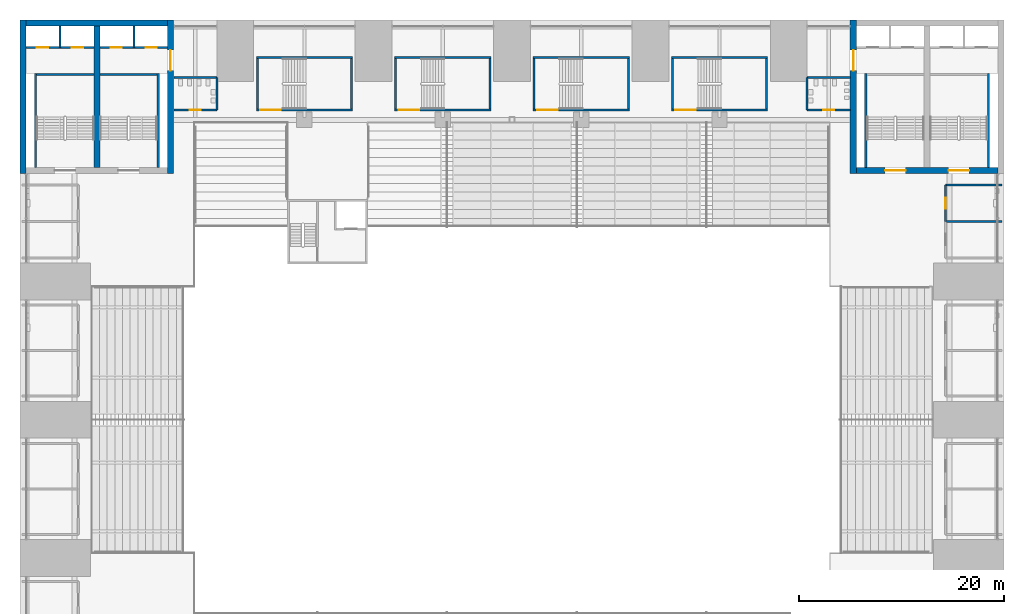
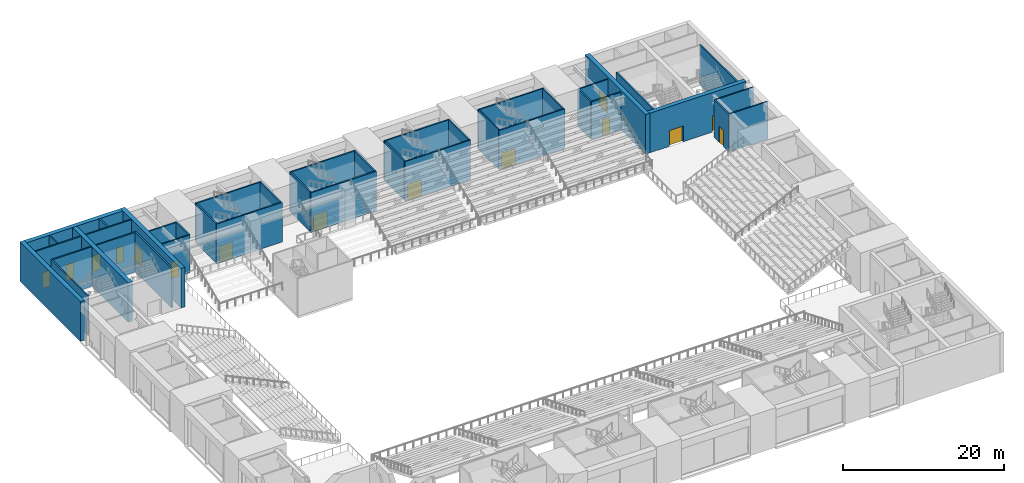
# One storey, part 32 of 61: 41 walls, 15 doors, 15 openings.
"""IFC4 building model written with IfcOpenShell, lengths in metres."""

from ifc_helpers import new_model, si_unit, direction, frame, frame_2d, origin, place, context, subcontext, project, spatial, rectangle, extrude, material, layer, layer_set, type_object, element, fill, save


model = new_model("IFC4")

# Units and contexts
model_context = context("Model", 3, precision=1e-05, world=origin(), true_north=direction((0.0, 1.0)))
body_context = subcontext(model_context, "Body", "Model", "MODEL_VIEW")
ifc_project = project(units=[si_unit("LENGTHUNIT", "METRE"), si_unit("AREAUNIT", "SQUARE_METRE"), si_unit("VOLUMEUNIT", "CUBIC_METRE"), si_unit("PLANEANGLEUNIT", "RADIAN"), si_unit("MASSUNIT", "GRAM", prefix="KILO")], contexts=[model_context])

# Site, building, storey
site_placement = place(None, origin())
site = spatial("IfcSite", under=ifc_project, at=site_placement, CompositionType="ELEMENT")
building_placement = place(site_placement, origin())
building = spatial("IfcBuilding", under=site, at=building_placement, Name="Corbelhall Arena Tower", CompositionType="ELEMENT")
storey_placement = place(building_placement, frame((0.0, 0.0, 31.0)))
storey = spatial("IfcBuildingStorey", under=building, at=storey_placement, Name="L04", CompositionType="ELEMENT", Elevation=31.0)

# Wall
ifc_material_1 = material(Name="Gypsum board on steel studs", Category="steel")
ifc_layer_1 = layer(ifc_material_1, 0.199951171875)
ifc_layer_set_1 = layer_set([ifc_layer_1], Name="AR-ROOM-WALL")
wall_type_1 = type_object("IfcWallType", Name="AR-ROOM-WALL", PredefinedType="PARTITIONING", material=ifc_layer_set_1)
wall_1_placement = place(storey_placement, frame((42.300048828125, 19.35009765625, 0.0), z_axis=(0.0, 0.0, 1.0), x_axis=(1.0, 0.0, 0.0)))
element("IfcWall", 1, at=wall_1_placement, inside=storey, type_object=wall_type_1, Name="Club lounge 3 partition", PredefinedType="PARTITIONING", context=body_context, shape_type="SweptSolid", body=[
    extrude(rectangle(XDim=5.5, YDim=0.199951171875, at=frame_2d((2.75, 0.0))), origin(), (0.0, 0.0, 1.0), 5.699951171875),
])

# Wall, opening, door
wall_2_placement = place(storey_placement, frame((42.300048828125, 19.35009765625, 0.0), z_axis=(0.0, 0.0, 1.0), x_axis=(0.0, 1.0, 0.0)))
wall_2 = element("IfcWall", 2, at=wall_2_placement, inside=storey, type_object=wall_type_1, Name="Accessible WC 2 wall", PredefinedType="PARTITIONING", context=body_context, shape_type="SweptSolid", body=[
    extrude(rectangle(XDim=3.5498046875, YDim=0.199951171875, at=frame_2d((1.77490234375, 0.0))), origin(), (0.0, 0.0, 1.0), 5.699951171875),
])
opening_1_placement = place(wall_2_placement, frame((1.22509765625, 0.0, 0.0)))
opening_1 = element("IfcOpeningElement", 3, at=opening_1_placement, cuts=wall_2, Name="Opening DA0424", PredefinedType="OPENING", context=body_context, shape_type="SweptSolid", body=[
    extrude(rectangle(XDim=1.10009765625, YDim=2.39990234375, at=frame_2d((0.550048828125, 1.199951171875))), frame((0.0, 0.10009765625, 0.0), z_axis=(0.0, -1.0, 0.0), x_axis=(1.0, 0.0, 0.0)), (0.0, 0.0, 1.0), 0.199951171875),
])
ifc_material_2 = material(Name="Timber", Category="wood")
door_type_1 = type_object("IfcDoorType", Name="AR-ROOM-DOOR", OperationType="DOUBLE_DOOR_SINGLE_SWING", PredefinedType="DOOR", material=ifc_material_2)
door_1_placement = place(opening_1_placement, origin())
door_1 = element("IfcDoor", 4, at=door_1_placement, inside=storey, type_object=door_type_1, Name="Accessible WC 2 door", OperationType="DOUBLE_DOOR_SINGLE_SWING", OverallHeight=2.39990234375, OverallWidth=1.10009765625, PredefinedType="DOOR", context=body_context, shape_type="SweptSolid", body=[
    extrude(rectangle(XDim=1.10009765625, YDim=2.39990234375, at=frame_2d((0.550048828125, 1.199951171875))), frame((0.0, 0.02490234375, 0.0), z_axis=(0.0, -1.0, 0.0), x_axis=(1.0, 0.0, 0.0)), (0.0, 0.0, 1.0), 0.050048828125),
])
fill(opening_1, door_1)

# Wall
wall_3_placement = place(storey_placement, frame((42.300048828125, 22.89990234375, 0.0), z_axis=(0.0, 0.0, 1.0), x_axis=(1.0, 0.0, 0.0)))
element("IfcWall", 5, at=wall_3_placement, inside=storey, type_object=wall_type_1, Name="Accessible WC 2 end wall", PredefinedType="PARTITIONING", context=body_context, shape_type="SweptSolid", body=[
    extrude(rectangle(XDim=5.5, YDim=0.199951171875, at=frame_2d((2.75, 0.0))), origin(), (0.0, 0.0, 1.0), 5.699951171875),
])

# Wall, opening, door
wall_4_placement = place(storey_placement, frame((28.800048828125, 30.199951171875, 0.0), z_axis=(0.0, 0.0, 1.0), x_axis=(1.0, 0.0, 0.0)))
wall_4 = element("IfcWall", 6, at=wall_4_placement, inside=storey, type_object=wall_type_1, Name="Men's WC 1 wall", PredefinedType="PARTITIONING", context=body_context, shape_type="SweptSolid", body=[
    extrude(rectangle(XDim=4.199951171875, YDim=0.199951171875, at=frame_2d((2.10009765625, 0.0))), origin(), (0.0, 0.0, 1.0), 5.699951171875),
])
opening_2_placement = place(wall_4_placement, frame((1.550048828125, 0.0, 0.0)))
opening_2 = element("IfcOpeningElement", 7, at=opening_2_placement, cuts=wall_4, Name="Opening DA0435", PredefinedType="OPENING", context=body_context, shape_type="SweptSolid", body=[
    extrude(rectangle(XDim=1.10009765625, YDim=2.39990234375, at=frame_2d((0.550048828125, 1.199951171875))), frame((0.0, 0.10009765625, 0.0), z_axis=(0.0, -1.0, 0.0), x_axis=(1.0, 0.0, 0.0)), (0.0, 0.0, 1.0), 0.199951171875),
])
door_2_placement = place(opening_2_placement, origin())
door_2 = element("IfcDoor", 8, at=door_2_placement, inside=storey, type_object=door_type_1, Name="Men's WC 1 door", OperationType="DOUBLE_DOOR_SINGLE_SWING", OverallHeight=2.39990234375, OverallWidth=1.10009765625, PredefinedType="DOOR", context=body_context, shape_type="SweptSolid", body=[
    extrude(rectangle(XDim=1.10009765625, YDim=2.39990234375, at=frame_2d((0.550048828125, 1.199951171875))), frame((0.0, 0.02490234375, 0.0), z_axis=(0.0, -1.0, 0.0), x_axis=(1.0, 0.0, 0.0)), (0.0, 0.0, 1.0), 0.050048828125),
])
fill(opening_2, door_2)

# Walls
wall_5_placement = place(storey_placement, frame((28.800048828125, 30.199951171875, 0.0), z_axis=(0.0, 0.0, 1.0), x_axis=(0.0, 1.0, 0.0)))
element("IfcWall", 9, at=wall_5_placement, inside=storey, type_object=wall_type_1, Name="Men's WC 1 side wall", PredefinedType="PARTITIONING", context=body_context, shape_type="SweptSolid", body=[
    extrude(rectangle(XDim=3.199951171875, YDim=0.199951171875, at=frame_2d((1.60009765625, 0.0))), origin(), (0.0, 0.0, 1.0), 5.699951171875),
])
wall_6_placement = place(storey_placement, frame((28.800048828125, 33.39990234375, 0.0), z_axis=(0.0, 0.0, 1.0), x_axis=(1.0, 0.0, 0.0)))
element("IfcWall", 10, at=wall_6_placement, inside=storey, type_object=wall_type_1, Name="Men's WC 1 far wall", PredefinedType="PARTITIONING", context=body_context, shape_type="SweptSolid", body=[
    extrude(rectangle(XDim=4.199951171875, YDim=0.199951171875, at=frame_2d((2.10009765625, 0.0))), origin(), (0.0, 0.0, 1.0), 5.699951171875),
])

# Wall, opening, door
wall_7_placement = place(storey_placement, frame((-33.0, 30.199951171875, 0.0), z_axis=(0.0, 0.0, 1.0), x_axis=(1.0, 0.0, 0.0)))
wall_7 = element("IfcWall", 11, at=wall_7_placement, inside=storey, type_object=wall_type_1, Name="Women's WC 2 wall", PredefinedType="PARTITIONING", context=body_context, shape_type="SweptSolid", body=[
    extrude(rectangle(XDim=4.199951171875, YDim=0.199951171875, at=frame_2d((2.10009765625, 0.0))), origin(), (0.0, 0.0, 1.0), 5.699951171875),
])
opening_3_placement = place(wall_7_placement, frame((1.550048828125, 0.0, 0.0)))
opening_3 = element("IfcOpeningElement", 12, at=opening_3_placement, cuts=wall_7, Name="Opening DA0436", PredefinedType="OPENING", context=body_context, shape_type="SweptSolid", body=[
    extrude(rectangle(XDim=1.10009765625, YDim=2.39990234375, at=frame_2d((0.550048828125, 1.199951171875))), frame((0.0, 0.10009765625, 0.0), z_axis=(0.0, -1.0, 0.0), x_axis=(1.0, 0.0, 0.0)), (0.0, 0.0, 1.0), 0.199951171875),
])
door_3_placement = place(opening_3_placement, origin())
door_3 = element("IfcDoor", 13, at=door_3_placement, inside=storey, type_object=door_type_1, Name="Women's WC 2 door", OperationType="DOUBLE_DOOR_SINGLE_SWING", OverallHeight=2.39990234375, OverallWidth=1.10009765625, PredefinedType="DOOR", context=body_context, shape_type="SweptSolid", body=[
    extrude(rectangle(XDim=1.10009765625, YDim=2.39990234375, at=frame_2d((0.550048828125, 1.199951171875))), frame((0.0, 0.02490234375, 0.0), z_axis=(0.0, -1.0, 0.0), x_axis=(1.0, 0.0, 0.0)), (0.0, 0.0, 1.0), 0.050048828125),
])
fill(opening_3, door_3)

# Walls
wall_8_placement = place(storey_placement, frame((-28.800048828125, 30.199951171875, 0.0), z_axis=(0.0, 0.0, 1.0), x_axis=(0.0, 1.0, 0.0)))
element("IfcWall", 14, at=wall_8_placement, inside=storey, type_object=wall_type_1, Name="Women's WC 2 side wall", PredefinedType="PARTITIONING", context=body_context, shape_type="SweptSolid", body=[
    extrude(rectangle(XDim=3.199951171875, YDim=0.199951171875, at=frame_2d((1.60009765625, 0.0))), origin(), (0.0, 0.0, 1.0), 5.699951171875),
])
wall_9_placement = place(storey_placement, frame((-33.0, 33.39990234375, 0.0), z_axis=(0.0, 0.0, 1.0), x_axis=(1.0, 0.0, 0.0)))
element("IfcWall", 15, at=wall_9_placement, inside=storey, type_object=wall_type_1, Name="Women's WC 2 far wall", PredefinedType="PARTITIONING", context=body_context, shape_type="SweptSolid", body=[
    extrude(rectangle(XDim=4.199951171875, YDim=0.199951171875, at=frame_2d((2.10009765625, 0.0))), origin(), (0.0, 0.0, 1.0), 5.699951171875),
])

# Wall, openings, doors
ifc_material_3 = material(Name="Reinforced concrete C40/50", Category="concrete")
ifc_layer_2 = layer(ifc_material_3, 0.199951171875)
ifc_layer_set_2 = layer_set([ifc_layer_2], Name="AR-SHAFT-WALL")
wall_type_2 = type_object("IfcWallType", Name="AR-SHAFT-WALL", PredefinedType="SHEAR", material=ifc_layer_set_2)
wall_10_placement = place(storey_placement, frame((-47.39990234375, 36.300048828125, 0.0), z_axis=(0.0, 0.0, 1.0), x_axis=(1.0, 0.0, 0.0)))
wall_10 = element("IfcWall", 16, at=wall_10_placement, inside=storey, type_object=wall_type_2, Name="Lift lobby wall NW", PredefinedType="SHEAR", context=body_context, shape_type="SweptSolid", body=[
    extrude(rectangle(XDim=6.599853515625, YDim=0.199951171875, at=frame_2d((3.2998046875, 0.0))), origin(), (0.0, 0.0, 1.0), 6.0),
])
opening_4_placement = place(wall_10_placement, frame((1.050048828125, 0.0, 0.0)))
opening_4 = element("IfcOpeningElement", 17, at=opening_4_placement, cuts=wall_10, Name="Opening LD0181", PredefinedType="OPENING", context=body_context, shape_type="SweptSolid", body=[
    extrude(rectangle(XDim=1.10009765625, YDim=2.39990234375, at=frame_2d((0.550048828125, 1.199951171875))), frame((0.0, 0.10009765625, 0.0), z_axis=(0.0, -1.0, 0.0), x_axis=(1.0, 0.0, 0.0)), (0.0, 0.0, 1.0), 0.199951171875),
])
opening_5_placement = place(wall_10_placement, frame((4.449951171875, 0.0, 0.0)))
opening_5 = element("IfcOpeningElement", 18, at=opening_5_placement, cuts=wall_10, Name="Opening LD0182", PredefinedType="OPENING", context=body_context, shape_type="SweptSolid", body=[
    extrude(rectangle(XDim=1.10009765625, YDim=2.39990234375, at=frame_2d((0.550048828125, 1.199951171875))), frame((0.0, 0.10009765625, 0.0), z_axis=(0.0, -1.0, 0.0), x_axis=(1.0, 0.0, 0.0)), (0.0, 0.0, 1.0), 0.199951171875),
])
ifc_material_4 = material(Name="Stainless steel A4", Category="steel")
door_type_2 = type_object("IfcDoorType", Name="AR-LANDING-DOOR", OperationType="DOUBLE_DOOR_SLIDING", PredefinedType="DOOR", material=ifc_material_4)
door_4_placement = place(opening_4_placement, origin())
door_4 = element("IfcDoor", 19, at=door_4_placement, inside=storey, type_object=door_type_2, Name="Landing door NW LF3 L04", OperationType="DOUBLE_DOOR_SLIDING", OverallHeight=2.39990234375, OverallWidth=1.10009765625, PredefinedType="DOOR", context=body_context, shape_type="SweptSolid", body=[
    extrude(rectangle(XDim=1.10009765625, YDim=2.39990234375, at=frame_2d((0.550048828125, 1.199951171875))), frame((0.0, 0.02490234375, 0.0), z_axis=(0.0, -1.0, 0.0), x_axis=(1.0, 0.0, 0.0)), (0.0, 0.0, 1.0), 0.050048828125),
])
fill(opening_4, door_4)
door_5_placement = place(opening_5_placement, origin())
door_5 = element("IfcDoor", 20, at=door_5_placement, inside=storey, type_object=door_type_2, Name="Landing door NW LF4 L04", OperationType="DOUBLE_DOOR_SLIDING", OverallHeight=2.39990234375, OverallWidth=1.10009765625, PredefinedType="DOOR", context=body_context, shape_type="SweptSolid", body=[
    extrude(rectangle(XDim=1.10009765625, YDim=2.39990234375, at=frame_2d((0.550048828125, 1.199951171875))), frame((0.0, 0.02490234375, 0.0), z_axis=(0.0, -1.0, 0.0), x_axis=(1.0, 0.0, 0.0)), (0.0, 0.0, 1.0), 0.050048828125),
])
fill(opening_5, door_5)

wall_11_placement = place(storey_placement, frame((-40.199951171875, 36.300048828125, 0.0), z_axis=(0.0, 0.0, 1.0), x_axis=(1.0, 0.0, 0.0)))
wall_11 = element("IfcWall", 21, at=wall_11_placement, inside=storey, type_object=wall_type_2, Name="Lift lobby wall NW", PredefinedType="SHEAR", context=body_context, shape_type="SweptSolid", body=[
    extrude(rectangle(XDim=6.599853515625, YDim=0.199951171875, at=frame_2d((3.2998046875, 0.0))), origin(), (0.0, 0.0, 1.0), 6.0),
])
opening_6_placement = place(wall_11_placement, frame((1.050048828125, 0.0, 0.0)))
opening_6 = element("IfcOpeningElement", 22, at=opening_6_placement, cuts=wall_11, Name="Opening LD0183", PredefinedType="OPENING", context=body_context, shape_type="SweptSolid", body=[
    extrude(rectangle(XDim=1.10009765625, YDim=2.39990234375, at=frame_2d((0.550048828125, 1.199951171875))), frame((0.0, 0.10009765625, 0.0), z_axis=(0.0, -1.0, 0.0), x_axis=(1.0, 0.0, 0.0)), (0.0, 0.0, 1.0), 0.199951171875),
])
opening_7_placement = place(wall_11_placement, frame((4.449951171875, 0.0, 0.0)))
opening_7 = element("IfcOpeningElement", 23, at=opening_7_placement, cuts=wall_11, Name="Opening LD0184", PredefinedType="OPENING", context=body_context, shape_type="SweptSolid", body=[
    extrude(rectangle(XDim=1.10009765625, YDim=2.39990234375, at=frame_2d((0.550048828125, 1.199951171875))), frame((0.0, 0.10009765625, 0.0), z_axis=(0.0, -1.0, 0.0), x_axis=(1.0, 0.0, 0.0)), (0.0, 0.0, 1.0), 0.199951171875),
])
door_6_placement = place(opening_6_placement, origin())
door_6 = element("IfcDoor", 24, at=door_6_placement, inside=storey, type_object=door_type_2, Name="Landing door NW LF1 L04", OperationType="DOUBLE_DOOR_SLIDING", OverallHeight=2.39990234375, OverallWidth=1.10009765625, PredefinedType="DOOR", context=body_context, shape_type="SweptSolid", body=[
    extrude(rectangle(XDim=1.10009765625, YDim=2.39990234375, at=frame_2d((0.550048828125, 1.199951171875))), frame((0.0, 0.02490234375, 0.0), z_axis=(0.0, -1.0, 0.0), x_axis=(1.0, 0.0, 0.0)), (0.0, 0.0, 1.0), 0.050048828125),
])
fill(opening_6, door_6)
door_7_placement = place(opening_7_placement, origin())
door_7 = element("IfcDoor", 25, at=door_7_placement, inside=storey, type_object=door_type_2, Name="Landing door NW LF2 L04", OperationType="DOUBLE_DOOR_SLIDING", OverallHeight=2.39990234375, OverallWidth=1.10009765625, PredefinedType="DOOR", context=body_context, shape_type="SweptSolid", body=[
    extrude(rectangle(XDim=1.10009765625, YDim=2.39990234375, at=frame_2d((0.550048828125, 1.199951171875))), frame((0.0, 0.02490234375, 0.0), z_axis=(0.0, -1.0, 0.0), x_axis=(1.0, 0.0, 0.0)), (0.0, 0.0, 1.0), 0.050048828125),
])
fill(opening_7, door_7)

# Walls
for number, where, z_axis, x_axis, name in (
    (26, (-36.89990234375, 36.300048828125, 0.0), (0.0, 0.0, 1.0), (0.0, 1.0, 0.0), "Shaft wall NW"),
    (27, (-44.10009765625, 36.300048828125, 0.0), (0.0, 0.0, 1.0), (0.0, 1.0, 0.0), "Shaft wall NW"),
):
    element("IfcWall", number, at=place(storey_placement, frame(where, z_axis=z_axis, x_axis=x_axis)), inside=storey, type_object=wall_type_2, Name=name, PredefinedType="SHEAR", context=body_context, shape_type="SweptSolid", body=[
        extrude(rectangle(XDim=2.099853515625, YDim=0.199951171875, at=frame_2d((1.0498046875, 0.0))), origin(), (0.0, 0.0, 1.0), 6.0),
    ])

# Wall, opening, door
ifc_layer_3 = layer(ifc_material_3, 0.199951171875)
ifc_layer_set_3 = layer_set([ifc_layer_3], Name="AR-STAIR-WALL")
wall_type_3 = type_object("IfcWallType", Name="AR-STAIR-WALL", PredefinedType="SOLIDWALL", material=ifc_layer_set_3)
wall_12_placement = place(storey_placement, frame((-24.949951171875, 30.199951171875, 0.0), z_axis=(0.0, 0.0, 1.0), x_axis=(1.0, 0.0, 0.0)))
wall_12 = element("IfcWall", 28, at=wall_12_placement, inside=storey, type_object=wall_type_3, Name="Stair AS9 wall", PredefinedType="SOLIDWALL", context=body_context, shape_type="SweptSolid", body=[
    extrude(rectangle(XDim=9.39990234375, YDim=0.199951171875, at=frame_2d((4.699951171875, 0.0))), origin(), (0.0, 0.0, 1.0), 6.0),
])
opening_8_placement = place(wall_12_placement, frame((0.39990234375, 0.0, 0.0)))
opening_8 = element("IfcOpeningElement", 29, at=opening_8_placement, cuts=wall_12, Name="Opening DA0005", PredefinedType="OPENING", context=body_context, shape_type="SweptSolid", body=[
    extrude(rectangle(XDim=2.0, YDim=2.39990234375, at=frame_2d((1.0, 1.199951171875))), frame((0.0, 0.10009765625, 0.0), z_axis=(0.0, -1.0, 0.0), x_axis=(1.0, 0.0, 0.0)), (0.0, 0.0, 1.0), 0.199951171875),
])
ifc_material_5 = material(Name="Steel and glass", Category="steel")
door_type_3 = type_object("IfcDoorType", Name="AR-STAIR-DOOR", OperationType="DOUBLE_DOOR_SINGLE_SWING", PredefinedType="DOOR", material=ifc_material_5)
door_8_placement = place(opening_8_placement, origin())
door_8 = element("IfcDoor", 30, at=door_8_placement, inside=storey, type_object=door_type_3, Name="Stair AS9 door", OperationType="DOUBLE_DOOR_SINGLE_SWING", OverallHeight=2.39990234375, OverallWidth=2.0, PredefinedType="DOOR", context=body_context, shape_type="SweptSolid", body=[
    extrude(rectangle(XDim=2.0, YDim=2.39990234375, at=frame_2d((1.0, 1.199951171875))), frame((0.0, 0.02490234375, 0.0), z_axis=(0.0, -1.0, 0.0), x_axis=(1.0, 0.0, 0.0)), (0.0, 0.0, 1.0), 0.050048828125),
])
fill(opening_8, door_8)

# Walls
wall_13_placement = place(storey_placement, frame((-24.949951171875, 35.35009765625, 0.0), z_axis=(0.0, 0.0, 1.0), x_axis=(1.0, 0.0, 0.0)))
element("IfcWall", 31, at=wall_13_placement, inside=storey, type_object=wall_type_3, Name="Stair AS9 wall", PredefinedType="SOLIDWALL", context=body_context, shape_type="SweptSolid", body=[
    extrude(rectangle(XDim=9.39990234375, YDim=0.199951171875, at=frame_2d((4.699951171875, 0.0))), origin(), (0.0, 0.0, 1.0), 6.0),
])
for number, where, z_axis, x_axis, name in (
    (32, (-24.85009765625, 30.300048828125, 0.0), (0.0, 0.0, 1.0), (0.0, 1.0, 0.0), "Stair AS9 wall"),
    (33, (-15.64990234375, 30.300048828125, 0.0), (0.0, 0.0, 1.0), (0.0, 1.0, 0.0), "Stair AS9 wall"),
):
    element("IfcWall", number, at=place(storey_placement, frame(where, z_axis=z_axis, x_axis=x_axis)), inside=storey, type_object=wall_type_3, Name=name, PredefinedType="SOLIDWALL", context=body_context, shape_type="SweptSolid", body=[
        extrude(rectangle(XDim=4.949951171875, YDim=0.199951171875, at=frame_2d((2.47509765625, 0.0))), origin(), (0.0, 0.0, 1.0), 6.0),
    ])

# Wall, opening, door
wall_14_placement = place(storey_placement, frame((-11.449951171875, 30.199951171875, 0.0), z_axis=(0.0, 0.0, 1.0), x_axis=(1.0, 0.0, 0.0)))
wall_14 = element("IfcWall", 34, at=wall_14_placement, inside=storey, type_object=wall_type_3, Name="Stair AS10 wall", PredefinedType="SOLIDWALL", context=body_context, shape_type="SweptSolid", body=[
    extrude(rectangle(XDim=9.39990234375, YDim=0.199951171875, at=frame_2d((4.699951171875, 0.0))), origin(), (0.0, 0.0, 1.0), 6.0),
])
opening_9_placement = place(wall_14_placement, frame((0.39990234375, 0.0, 0.0)))
opening_9 = element("IfcOpeningElement", 35, at=opening_9_placement, cuts=wall_14, Name="Opening DA0011", PredefinedType="OPENING", context=body_context, shape_type="SweptSolid", body=[
    extrude(rectangle(XDim=2.0, YDim=2.39990234375, at=frame_2d((1.0, 1.199951171875))), frame((0.0, 0.10009765625, 0.0), z_axis=(0.0, -1.0, 0.0), x_axis=(1.0, 0.0, 0.0)), (0.0, 0.0, 1.0), 0.199951171875),
])
door_9_placement = place(opening_9_placement, origin())
door_9 = element("IfcDoor", 36, at=door_9_placement, inside=storey, type_object=door_type_3, Name="Stair AS10 door", OperationType="DOUBLE_DOOR_SINGLE_SWING", OverallHeight=2.39990234375, OverallWidth=2.0, PredefinedType="DOOR", context=body_context, shape_type="SweptSolid", body=[
    extrude(rectangle(XDim=2.0, YDim=2.39990234375, at=frame_2d((1.0, 1.199951171875))), frame((0.0, 0.02490234375, 0.0), z_axis=(0.0, -1.0, 0.0), x_axis=(1.0, 0.0, 0.0)), (0.0, 0.0, 1.0), 0.050048828125),
])
fill(opening_9, door_9)

# Walls
wall_15_placement = place(storey_placement, frame((-11.449951171875, 35.35009765625, 0.0), z_axis=(0.0, 0.0, 1.0), x_axis=(1.0, 0.0, 0.0)))
element("IfcWall", 37, at=wall_15_placement, inside=storey, type_object=wall_type_3, Name="Stair AS10 wall", PredefinedType="SOLIDWALL", context=body_context, shape_type="SweptSolid", body=[
    extrude(rectangle(XDim=9.39990234375, YDim=0.199951171875, at=frame_2d((4.699951171875, 0.0))), origin(), (0.0, 0.0, 1.0), 6.0),
])
for number, where, z_axis, x_axis, name in (
    (38, (-11.35009765625, 30.300048828125, 0.0), (0.0, 0.0, 1.0), (0.0, 1.0, 0.0), "Stair AS10 wall"),
    (39, (-2.14990234375, 30.300048828125, 0.0), (0.0, 0.0, 1.0), (0.0, 1.0, 0.0), "Stair AS10 wall"),
):
    element("IfcWall", number, at=place(storey_placement, frame(where, z_axis=z_axis, x_axis=x_axis)), inside=storey, type_object=wall_type_3, Name=name, PredefinedType="SOLIDWALL", context=body_context, shape_type="SweptSolid", body=[
        extrude(rectangle(XDim=4.949951171875, YDim=0.199951171875, at=frame_2d((2.47509765625, 0.0))), origin(), (0.0, 0.0, 1.0), 6.0),
    ])

# Wall, opening, door
wall_16_placement = place(storey_placement, frame((2.050048828125, 30.199951171875, 0.0), z_axis=(0.0, 0.0, 1.0), x_axis=(1.0, 0.0, 0.0)))
wall_16 = element("IfcWall", 40, at=wall_16_placement, inside=storey, type_object=wall_type_3, Name="Stair AS11 wall", PredefinedType="SOLIDWALL", context=body_context, shape_type="SweptSolid", body=[
    extrude(rectangle(XDim=9.39990234375, YDim=0.199951171875, at=frame_2d((4.699951171875, 0.0))), origin(), (0.0, 0.0, 1.0), 6.0),
])
opening_10_placement = place(wall_16_placement, frame((0.39990234375, 0.0, 0.0)))
opening_10 = element("IfcOpeningElement", 41, at=opening_10_placement, cuts=wall_16, Name="Opening DA0017", PredefinedType="OPENING", context=body_context, shape_type="SweptSolid", body=[
    extrude(rectangle(XDim=2.0, YDim=2.39990234375, at=frame_2d((1.0, 1.199951171875))), frame((0.0, 0.10009765625, 0.0), z_axis=(0.0, -1.0, 0.0), x_axis=(1.0, 0.0, 0.0)), (0.0, 0.0, 1.0), 0.199951171875),
])
door_10_placement = place(opening_10_placement, origin())
door_10 = element("IfcDoor", 42, at=door_10_placement, inside=storey, type_object=door_type_3, Name="Stair AS11 door", OperationType="DOUBLE_DOOR_SINGLE_SWING", OverallHeight=2.39990234375, OverallWidth=2.0, PredefinedType="DOOR", context=body_context, shape_type="SweptSolid", body=[
    extrude(rectangle(XDim=2.0, YDim=2.39990234375, at=frame_2d((1.0, 1.199951171875))), frame((0.0, 0.02490234375, 0.0), z_axis=(0.0, -1.0, 0.0), x_axis=(1.0, 0.0, 0.0)), (0.0, 0.0, 1.0), 0.050048828125),
])
fill(opening_10, door_10)

# Walls
wall_17_placement = place(storey_placement, frame((2.050048828125, 35.35009765625, 0.0), z_axis=(0.0, 0.0, 1.0), x_axis=(1.0, 0.0, 0.0)))
element("IfcWall", 43, at=wall_17_placement, inside=storey, type_object=wall_type_3, Name="Stair AS11 wall", PredefinedType="SOLIDWALL", context=body_context, shape_type="SweptSolid", body=[
    extrude(rectangle(XDim=9.39990234375, YDim=0.199951171875, at=frame_2d((4.699951171875, 0.0))), origin(), (0.0, 0.0, 1.0), 6.0),
])
for number, where, z_axis, x_axis, name in (
    (44, (2.14990234375, 30.300048828125, 0.0), (0.0, 0.0, 1.0), (0.0, 1.0, 0.0), "Stair AS11 wall"),
    (45, (11.35009765625, 30.300048828125, 0.0), (0.0, 0.0, 1.0), (0.0, 1.0, 0.0), "Stair AS11 wall"),
):
    element("IfcWall", number, at=place(storey_placement, frame(where, z_axis=z_axis, x_axis=x_axis)), inside=storey, type_object=wall_type_3, Name=name, PredefinedType="SOLIDWALL", context=body_context, shape_type="SweptSolid", body=[
        extrude(rectangle(XDim=4.949951171875, YDim=0.199951171875, at=frame_2d((2.47509765625, 0.0))), origin(), (0.0, 0.0, 1.0), 6.0),
    ])

# Wall, opening, door
wall_18_placement = place(storey_placement, frame((15.550048828125, 30.199951171875, 0.0), z_axis=(0.0, 0.0, 1.0), x_axis=(1.0, 0.0, 0.0)))
wall_18 = element("IfcWall", 46, at=wall_18_placement, inside=storey, type_object=wall_type_3, Name="Stair AS12 wall", PredefinedType="SOLIDWALL", context=body_context, shape_type="SweptSolid", body=[
    extrude(rectangle(XDim=9.39990234375, YDim=0.199951171875, at=frame_2d((4.699951171875, 0.0))), origin(), (0.0, 0.0, 1.0), 6.0),
])
opening_11_placement = place(wall_18_placement, frame((0.39990234375, 0.0, 0.0)))
opening_11 = element("IfcOpeningElement", 47, at=opening_11_placement, cuts=wall_18, Name="Opening DA0023", PredefinedType="OPENING", context=body_context, shape_type="SweptSolid", body=[
    extrude(rectangle(XDim=2.0, YDim=2.39990234375, at=frame_2d((1.0, 1.199951171875))), frame((0.0, 0.10009765625, 0.0), z_axis=(0.0, -1.0, 0.0), x_axis=(1.0, 0.0, 0.0)), (0.0, 0.0, 1.0), 0.199951171875),
])
door_11_placement = place(opening_11_placement, origin())
door_11 = element("IfcDoor", 48, at=door_11_placement, inside=storey, type_object=door_type_3, Name="Stair AS12 door", OperationType="DOUBLE_DOOR_SINGLE_SWING", OverallHeight=2.39990234375, OverallWidth=2.0, PredefinedType="DOOR", context=body_context, shape_type="SweptSolid", body=[
    extrude(rectangle(XDim=2.0, YDim=2.39990234375, at=frame_2d((1.0, 1.199951171875))), frame((0.0, 0.02490234375, 0.0), z_axis=(0.0, -1.0, 0.0), x_axis=(1.0, 0.0, 0.0)), (0.0, 0.0, 1.0), 0.050048828125),
])
fill(opening_11, door_11)

# Walls
wall_19_placement = place(storey_placement, frame((15.550048828125, 35.35009765625, 0.0), z_axis=(0.0, 0.0, 1.0), x_axis=(1.0, 0.0, 0.0)))
element("IfcWall", 49, at=wall_19_placement, inside=storey, type_object=wall_type_3, Name="Stair AS12 wall", PredefinedType="SOLIDWALL", context=body_context, shape_type="SweptSolid", body=[
    extrude(rectangle(XDim=9.39990234375, YDim=0.199951171875, at=frame_2d((4.699951171875, 0.0))), origin(), (0.0, 0.0, 1.0), 6.0),
])
for number, where, z_axis, x_axis, name in (
    (50, (15.64990234375, 30.300048828125, 0.0), (0.0, 0.0, 1.0), (0.0, 1.0, 0.0), "Stair AS12 wall"),
    (51, (24.85009765625, 30.300048828125, 0.0), (0.0, 0.0, 1.0), (0.0, 1.0, 0.0), "Stair AS12 wall"),
):
    element("IfcWall", number, at=place(storey_placement, frame(where, z_axis=z_axis, x_axis=x_axis)), inside=storey, type_object=wall_type_3, Name=name, PredefinedType="SOLIDWALL", context=body_context, shape_type="SweptSolid", body=[
        extrude(rectangle(XDim=4.949951171875, YDim=0.199951171875, at=frame_2d((2.47509765625, 0.0))), origin(), (0.0, 0.0, 1.0), 6.0),
    ])
for number, where, z_axis, x_axis, name in (
    (52, (34.510009765625, 24.60009765625, 0.0), (0.0, 0.0, 1.0), (0.0, 1.0, 0.0), "Stair AS1 wall"),
    (53, (46.489990234375, 24.60009765625, 0.0), (0.0, 0.0, 1.0), (0.0, 1.0, 0.0), "Stair AS2 wall"),
    (54, (-34.510009765625, 24.60009765625, 0.0), (0.0, 0.0, 1.0), (0.0, 1.0, 0.0), "Stair AS3 wall"),
):
    element("IfcWall", number, at=place(storey_placement, frame(where, z_axis=z_axis, x_axis=x_axis)), inside=storey, type_object=wall_type_3, Name=name, PredefinedType="SOLIDWALL", context=body_context, shape_type="SweptSolid", body=[
        extrude(rectangle(XDim=9.199951171875, YDim=0.199951171875, at=frame_2d((4.60009765625, 0.0))), origin(), (0.0, 0.0, 1.0), 6.0),
    ])
wall_20_placement = place(storey_placement, frame((-40.199951171875, 33.699951171875, 0.0), z_axis=(0.0, 0.0, 1.0), x_axis=(1.0, 0.0, 0.0)))
element("IfcWall", 55, at=wall_20_placement, inside=storey, type_object=wall_type_3, Name="Stair AS3 wall", PredefinedType="SOLIDWALL", context=body_context, shape_type="SweptSolid", body=[
    extrude(rectangle(XDim=5.58984375, YDim=0.199951171875, at=frame_2d((2.794921875, 0.0))), origin(), (0.0, 0.0, 1.0), 6.0),
])
wall_21_placement = place(storey_placement, frame((-46.489990234375, 24.60009765625, 0.0), z_axis=(0.0, 0.0, 1.0), x_axis=(0.0, 1.0, 0.0)))
element("IfcWall", 56, at=wall_21_placement, inside=storey, type_object=wall_type_3, Name="Stair AS4 wall", PredefinedType="SOLIDWALL", context=body_context, shape_type="SweptSolid", body=[
    extrude(rectangle(XDim=9.199951171875, YDim=0.199951171875, at=frame_2d((4.60009765625, 0.0))), origin(), (0.0, 0.0, 1.0), 6.0),
])
wall_22_placement = place(storey_placement, frame((-46.389892578125, 33.699951171875, 0.0), z_axis=(0.0, 0.0, 1.0), x_axis=(1.0, 0.0, 0.0)))
element("IfcWall", 57, at=wall_22_placement, inside=storey, type_object=wall_type_3, Name="Stair AS4 wall", PredefinedType="SOLIDWALL", context=body_context, shape_type="SweptSolid", body=[
    extrude(rectangle(XDim=5.58984375, YDim=0.199951171875, at=frame_2d((2.794921875, 0.0))), origin(), (0.0, 0.0, 1.0), 6.0),
])

# Wall, openings, doors
ifc_material_6 = material(Name="Concrete C80/95", Category="concrete")
ifc_layer_4 = layer(ifc_material_6, 0.60009765625)
ifc_layer_set_4 = layer_set([ifc_layer_4], Name="PO-CORE-WALL")
wall_type_4 = type_object("IfcWallType", Name="PO-CORE-WALL", PredefinedType="SHEAR", material=ifc_layer_set_4)
wall_23_placement = place(storey_placement, frame((33.60009765625, 24.300048828125, 0.0), z_axis=(0.0, 0.0, 1.0), x_axis=(1.0, 0.0, 0.0)))
wall_23 = element("IfcWall", 58, at=wall_23_placement, inside=storey, type_object=wall_type_4, Name="CORE NE WALL S L04", PredefinedType="SHEAR", context=body_context, shape_type="SweptSolid", body=[
    extrude(rectangle(XDim=13.7998046875, YDim=0.60009765625, at=frame_2d((6.89990234375, 0.0))), origin(), (0.0, 0.0, 1.0), 6.0),
])
opening_12_placement = place(wall_23_placement, frame((2.804931640625, 0.0, 0.0)))
opening_12 = element("IfcOpeningElement", 59, at=opening_12_placement, cuts=wall_23, Name="Opening DA0057", PredefinedType="OPENING", context=body_context, shape_type="SweptSolid", body=[
    extrude(rectangle(XDim=2.0, YDim=2.39990234375, at=frame_2d((1.0, 1.199951171875))), frame((0.0, 0.300048828125, 0.0), z_axis=(0.0, -1.0, 0.0), x_axis=(1.0, 0.0, 0.0)), (0.0, 0.0, 1.0), 0.60009765625),
])
opening_13_placement = place(wall_23_placement, frame((8.9951171875, 0.0, 0.0)))
opening_13 = element("IfcOpeningElement", 60, at=opening_13_placement, cuts=wall_23, Name="Opening DA0065", PredefinedType="OPENING", context=body_context, shape_type="SweptSolid", body=[
    extrude(rectangle(XDim=2.0, YDim=2.39990234375, at=frame_2d((1.0, 1.199951171875))), frame((0.0, 0.300048828125, 0.0), z_axis=(0.0, -1.0, 0.0), x_axis=(1.0, 0.0, 0.0)), (0.0, 0.0, 1.0), 0.60009765625),
])
door_12_placement = place(opening_12_placement, origin())
door_12 = element("IfcDoor", 61, at=door_12_placement, inside=storey, type_object=door_type_3, Name="Stair AS1 door", OperationType="DOUBLE_DOOR_SINGLE_SWING", OverallHeight=2.39990234375, OverallWidth=2.0, PredefinedType="DOOR", context=body_context, shape_type="SweptSolid", body=[
    extrude(rectangle(XDim=2.0, YDim=2.39990234375, at=frame_2d((1.0, 1.199951171875))), frame((0.0, 0.02490234375, 0.0), z_axis=(0.0, -1.0, 0.0), x_axis=(1.0, 0.0, 0.0)), (0.0, 0.0, 1.0), 0.050048828125),
])
fill(opening_12, door_12)
door_13_placement = place(opening_13_placement, origin())
door_13 = element("IfcDoor", 62, at=door_13_placement, inside=storey, type_object=door_type_3, Name="Stair AS2 door", OperationType="DOUBLE_DOOR_SINGLE_SWING", OverallHeight=2.39990234375, OverallWidth=2.0, PredefinedType="DOOR", context=body_context, shape_type="SweptSolid", body=[
    extrude(rectangle(XDim=2.0, YDim=2.39990234375, at=frame_2d((1.0, 1.199951171875))), frame((0.0, 0.02490234375, 0.0), z_axis=(0.0, -1.0, 0.0), x_axis=(1.0, 0.0, 0.0)), (0.0, 0.0, 1.0), 0.050048828125),
])
fill(opening_13, door_13)

# Wall, opening, door
wall_24_placement = place(storey_placement, frame((33.300048828125, 24.0, 0.0), z_axis=(0.0, 0.0, 1.0), x_axis=(0.0, 1.0, 0.0)))
wall_24 = element("IfcWall", 63, at=wall_24_placement, inside=storey, type_object=wall_type_4, Name="CORE NE WALL W L04", PredefinedType="SHEAR", context=body_context, shape_type="SweptSolid", body=[
    extrude(rectangle(XDim=15.0, YDim=0.60009765625, at=frame_2d((7.5, 0.0))), origin(), (0.0, 0.0, 1.0), 6.0),
])
opening_14_placement = place(wall_24_placement, frame((10.050048828125, 0.0, 0.0)))
opening_14 = element("IfcOpeningElement", 64, at=opening_14_placement, cuts=wall_24, Name="Opening DA0141", PredefinedType="OPENING", context=body_context, shape_type="SweptSolid", body=[
    extrude(rectangle(XDim=2.0, YDim=2.39990234375, at=frame_2d((1.0, 1.199951171875))), frame((0.0, 0.300048828125, 0.0), z_axis=(0.0, -1.0, 0.0), x_axis=(1.0, 0.0, 0.0)), (0.0, 0.0, 1.0), 0.60009765625),
])
door_type_4 = type_object("IfcDoorType", Name="AR-CORE-DOOR", OperationType="DOUBLE_DOOR_SINGLE_SWING", PredefinedType="DOOR", material=ifc_material_5)
door_14_placement = place(opening_14_placement, origin())
door_14 = element("IfcDoor", 65, at=door_14_placement, inside=storey, type_object=door_type_4, Name="Core lobby door NE L04", OperationType="DOUBLE_DOOR_SINGLE_SWING", OverallHeight=2.39990234375, OverallWidth=2.0, PredefinedType="DOOR", context=body_context, shape_type="SweptSolid", body=[
    extrude(rectangle(XDim=2.0, YDim=2.39990234375, at=frame_2d((1.0, 1.199951171875))), frame((0.0, 0.02490234375, 0.0), z_axis=(0.0, -1.0, 0.0), x_axis=(1.0, 0.0, 0.0)), (0.0, 0.0, 1.0), 0.050048828125),
])
fill(opening_14, door_14)

# Walls
wall_25_placement = place(storey_placement, frame((-47.39990234375, 38.699951171875, 0.0), z_axis=(0.0, 0.0, 1.0), x_axis=(1.0, 0.0, 0.0)))
element("IfcWall", 66, at=wall_25_placement, inside=storey, type_object=wall_type_4, Name="CORE NW WALL N L04", PredefinedType="SHEAR", context=body_context, shape_type="SweptSolid", body=[
    extrude(rectangle(XDim=13.7998046875, YDim=0.60009765625, at=frame_2d((6.89990234375, 0.0))), origin(), (0.0, 0.0, 1.0), 6.0),
])
wall_26_placement = place(storey_placement, frame((-47.699951171875, 24.0, 0.0), z_axis=(0.0, 0.0, 1.0), x_axis=(0.0, 1.0, 0.0)))
element("IfcWall", 67, at=wall_26_placement, inside=storey, type_object=wall_type_4, Name="CORE NW WALL W L04", PredefinedType="SHEAR", context=body_context, shape_type="SweptSolid", body=[
    extrude(rectangle(XDim=15.0, YDim=0.60009765625, at=frame_2d((7.5, 0.0))), origin(), (0.0, 0.0, 1.0), 6.0),
])

# Wall, opening, door
wall_27_placement = place(storey_placement, frame((-33.300048828125, 24.0, 0.0), z_axis=(0.0, 0.0, 1.0), x_axis=(0.0, 1.0, 0.0)))
wall_27 = element("IfcWall", 68, at=wall_27_placement, inside=storey, type_object=wall_type_4, Name="CORE NW WALL E L04", PredefinedType="SHEAR", context=body_context, shape_type="SweptSolid", body=[
    extrude(rectangle(XDim=15.0, YDim=0.60009765625, at=frame_2d((7.5, 0.0))), origin(), (0.0, 0.0, 1.0), 6.0),
])
opening_15_placement = place(wall_27_placement, frame((10.050048828125, 0.0, 0.0)))
opening_15 = element("IfcOpeningElement", 69, at=opening_15_placement, cuts=wall_27, Name="Opening DA0185", PredefinedType="OPENING", context=body_context, shape_type="SweptSolid", body=[
    extrude(rectangle(XDim=2.0, YDim=2.39990234375, at=frame_2d((1.0, 1.199951171875))), frame((0.0, 0.300048828125, 0.0), z_axis=(0.0, -1.0, 0.0), x_axis=(1.0, 0.0, 0.0)), (0.0, 0.0, 1.0), 0.60009765625),
])
door_15_placement = place(opening_15_placement, origin())
door_15 = element("IfcDoor", 70, at=door_15_placement, inside=storey, type_object=door_type_4, Name="Core lobby door NW L04", OperationType="DOUBLE_DOOR_SINGLE_SWING", OverallHeight=2.39990234375, OverallWidth=2.0, PredefinedType="DOOR", context=body_context, shape_type="SweptSolid", body=[
    extrude(rectangle(XDim=2.0, YDim=2.39990234375, at=frame_2d((1.0, 1.199951171875))), frame((0.0, 0.02490234375, 0.0), z_axis=(0.0, -1.0, 0.0), x_axis=(1.0, 0.0, 0.0)), (0.0, 0.0, 1.0), 0.050048828125),
])
fill(opening_15, door_15)

# Wall
wall_28_placement = place(storey_placement, frame((-40.5, 24.60009765625, 0.0), z_axis=(0.0, 0.0, 1.0), x_axis=(0.0, 1.0, 0.0)))
element("IfcWall", 71, at=wall_28_placement, inside=storey, type_object=wall_type_4, Name="CORE NW WALL D L04", PredefinedType="SHEAR", context=body_context, shape_type="SweptSolid", body=[
    extrude(rectangle(XDim=13.7998046875, YDim=0.60009765625, at=frame_2d((6.89990234375, 0.0))), origin(), (0.0, 0.0, 1.0), 6.0),
])

save(model, "model.ifc")
